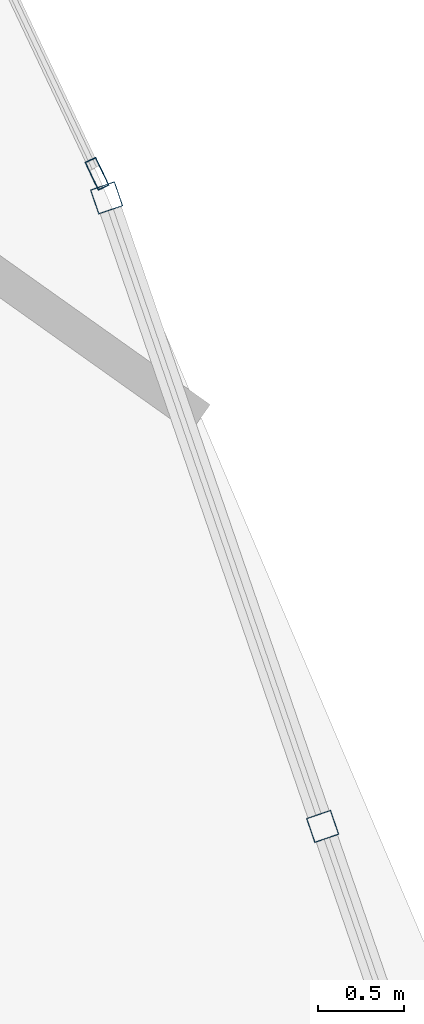
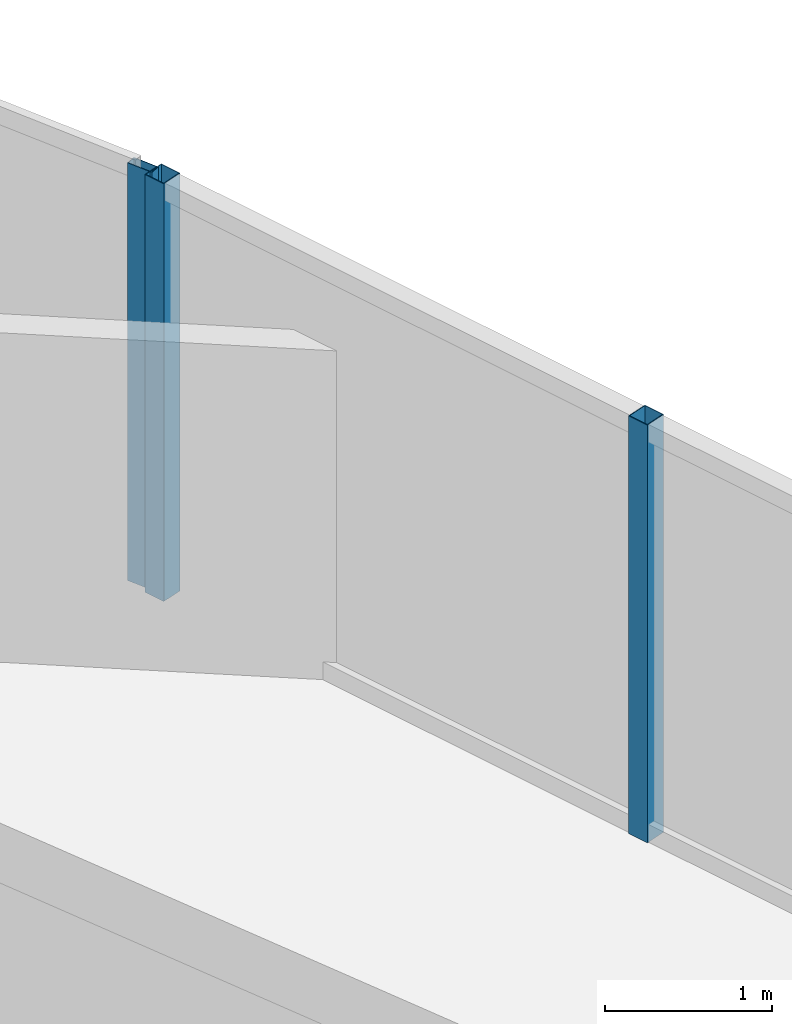
# One storey, part 16 of 34: 3 members, 2 elements without a shape of their own.
"""IFC4 building model written with IfcOpenShell, lengths in metres."""

from ifc_helpers import new_model, si_unit, direction, frame, origin, origin_2d, place, context, subcontext, project, spatial, hollow_rectangle, extrude, material, layer, layer_set, material_profile, profile_set, type_object, element, aggregate, save


model = new_model("IFC4")

# Units and contexts
model_context = context("Model", 3, precision=1e-05, world=origin(), true_north=direction((0.0, 1.0)))
body_context = subcontext(model_context, "Body", "Model", "MODEL_VIEW")
ifc_project = project(units=[si_unit("LENGTHUNIT", "METRE"), si_unit("AREAUNIT", "SQUARE_METRE"), si_unit("VOLUMEUNIT", "CUBIC_METRE"), si_unit("PLANEANGLEUNIT", "RADIAN"), si_unit("MASSUNIT", "GRAM", prefix="KILO")], contexts=[model_context])

# Site, building, storey
site_placement = place(None, origin())
site = spatial("IfcSite", under=ifc_project, at=site_placement, CompositionType="ELEMENT")
building_placement = place(site_placement, origin())
building = spatial("IfcBuilding", under=site, at=building_placement, Name="Orvanel Arch Residences", CompositionType="ELEMENT")
storey_placement = place(building_placement, frame((0.0, 0.0, 64.25)))
storey = spatial("IfcBuildingStorey", under=building, at=storey_placement, Name="L17", CompositionType="ELEMENT", Elevation=64.25)

# Curtain wall, members
ifc_material = material(Name="Bronze-anodised aluminium AA6063-T6", Category="aluminium")
ifc_layer_1 = layer(ifc_material, 0.18994140625)
ifc_layer_set_1 = layer_set([ifc_layer_1], Name="Bronze-anodised aluminium AA6063-T6")
curtain_wall_type_1 = type_object("IfcCurtainWallType", Name="CW5-CRN-SYS", PredefinedType="NOTDEFINED", material=ifc_layer_set_1)
curtain_wall_1_placement = place(storey_placement, origin())
curtain_wall_1 = element("IfcCurtainWall", 1, at=curtain_wall_1_placement, inside=storey, type_object=curtain_wall_type_1, Name="L17 CW5-CRN-SYS Unitised Curtain Wall", PredefinedType="NOTDEFINED")
ifc_material_profile_1 = material_profile(ifc_material, hollow_rectangle(XDim=0.14990234375, YDim=0.14990234375, WallThickness=0.0048828125, at=origin_2d()), Name="ALU150x150x5")
ifc_profile_set_1 = profile_set([ifc_material_profile_1], Name="Bronze-anodised aluminium AA6063-T6")
member_type_1 = type_object("IfcMemberType", Name="MUL-150x150", PredefinedType="MULLION", material=ifc_profile_set_1)
member_1_placement = place(storey_placement, frame((59.574951171875, 9.781982421875, 0.0), z_axis=(0.0, 0.0, 1.0), x_axis=(-0.945657194416, -0.325165297425, 0.0)))
member_1 = element("IfcMember", 2, at=member_1_placement, type_object=member_type_1, Name="CW-S5 mullion 2", PredefinedType="MULLION", context=body_context, shape_type="SweptSolid", body=[
    extrude(hollow_rectangle(XDim=0.14990234375, YDim=0.14990234375, WallThickness=0.0048828125, at=origin_2d()), origin(), (0.0, 0.0, 1.0), 3.06005859375),
])
member_2_placement = place(storey_placement, frame((58.324462890625, 13.419189453125, 0.0), z_axis=(0.0, 0.0, 1.0), x_axis=(-0.945657194416, -0.325165297425, 0.0)))
member_2 = element("IfcMember", 3, at=member_2_placement, type_object=member_type_1, Name="CW-S5 mullion 3", PredefinedType="MULLION", context=body_context, shape_type="SweptSolid", body=[
    extrude(hollow_rectangle(XDim=0.14990234375, YDim=0.14990234375, WallThickness=0.0048828125, at=origin_2d()), origin(), (0.0, 0.0, 1.0), 3.06005859375),
])
aggregate(curtain_wall_1, [member_1, member_2])

# Curtain wall, member
ifc_layer_2 = layer(ifc_material, 0.179931640625)
ifc_layer_set_2 = layer_set([ifc_layer_2], Name="Bronze-anodised aluminium AA6063-T6")
curtain_wall_type_2 = type_object("IfcCurtainWallType", Name="CW2-LOW-SYS", PredefinedType="NOTDEFINED", material=ifc_layer_set_2)
curtain_wall_2_placement = place(storey_placement, origin())
curtain_wall_2 = element("IfcCurtainWall", 4, at=curtain_wall_2_placement, inside=storey, type_object=curtain_wall_type_2, Name="L17 CW2-LOW-SYS Unitised Curtain Wall", PredefinedType="NOTDEFINED")
ifc_material_profile_2 = material_profile(ifc_material, hollow_rectangle(XDim=0.070068359375, YDim=0.179931640625, WallThickness=0.00439453125, at=origin_2d()), Name="ALU180x70x4.5")
ifc_profile_set_2 = profile_set([ifc_material_profile_2], Name="Bronze-anodised aluminium AA6063-T6")
member_type_2 = type_object("IfcMemberType", Name="MUL-180x70", PredefinedType="MULLION", material=ifc_profile_set_2)
member_3_placement = place(storey_placement, frame((58.26904296875, 13.55859375, 0.0), z_axis=(0.0, 0.0, 1.0), x_axis=(-0.903875434189, -0.427795745036, 0.0)))
member_3 = element("IfcMember", 5, at=member_3_placement, type_object=member_type_2, Name="CW-S2 mullion 1", PredefinedType="MULLION", context=body_context, shape_type="SweptSolid", body=[
    extrude(hollow_rectangle(XDim=0.070068359375, YDim=0.179931640625, WallThickness=0.00439453125, at=origin_2d()), origin(), (0.0, 0.0, 1.0), 3.06005859375),
])
aggregate(curtain_wall_2, [member_3])

save(model, "model.ifc")
